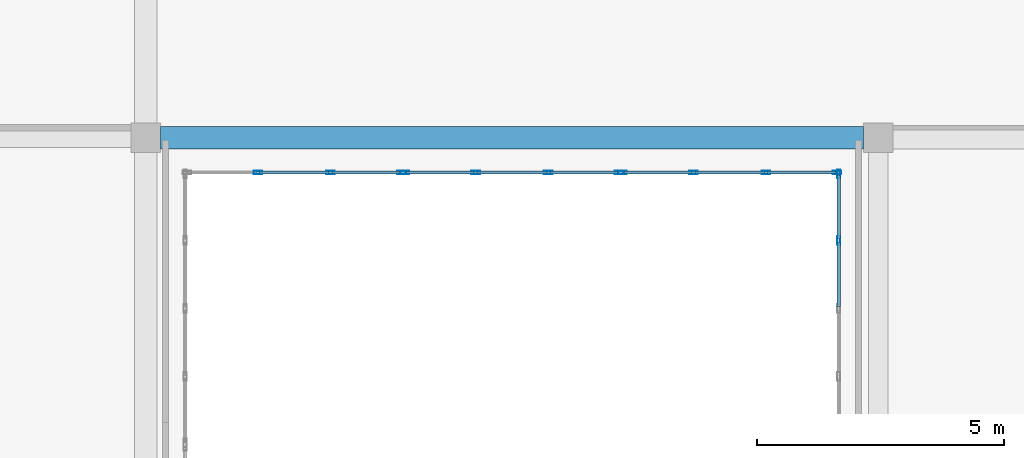
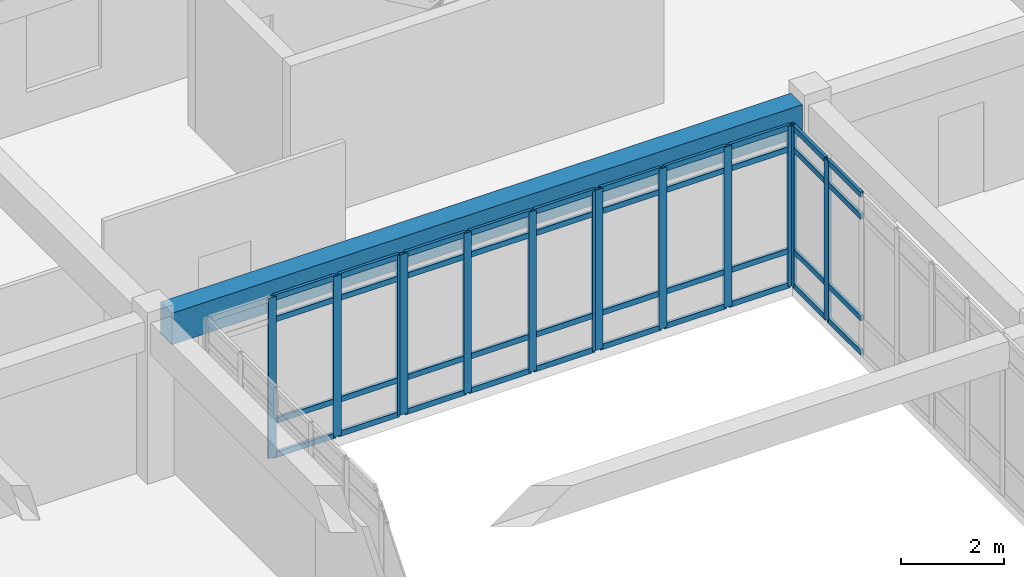
# One storey, part 107 of 146: 53 members, 1 beam, 4 elements without a shape of their own.
"""IFC4 building model written with IfcOpenShell, lengths in metres."""

from ifc_helpers import new_model, si_unit, direction, frame, origin, origin_2d, place, context, subcontext, project, spatial, rectangle, hollow_rectangle, extrude, material, layer, layer_set, material_profile, profile_set, type_object, element, aggregate, save


model = new_model("IFC4")

# Units and contexts
model_context = context("Model", 3, precision=1e-05, world=origin(), true_north=direction((0.0, 1.0)))
body_context = subcontext(model_context, "Body", "Model", "MODEL_VIEW")
ifc_project = project(units=[si_unit("LENGTHUNIT", "METRE"), si_unit("AREAUNIT", "SQUARE_METRE"), si_unit("VOLUMEUNIT", "CUBIC_METRE"), si_unit("PLANEANGLEUNIT", "RADIAN"), si_unit("MASSUNIT", "GRAM", prefix="KILO")], contexts=[model_context])

# Site, building, storey
site_placement = place(None, origin())
site = spatial("IfcSite", under=ifc_project, at=site_placement, CompositionType="ELEMENT")
building_placement = place(site_placement, origin())
building = spatial("IfcBuilding", under=site, at=building_placement, Name="Valcora Specialist Clinic", CompositionType="ELEMENT")
storey_placement = place(building_placement, frame((0.0, 0.0, 9.52001953125)))
storey = spatial("IfcBuildingStorey", under=building, at=storey_placement, Name="L02", CompositionType="ELEMENT", Elevation=9.52001953125)

# Beam
ifc_material_1 = material(Name="Concrete C40/50", Category="concrete")
ifc_material_profile_1 = material_profile(ifc_material_1, rectangle(XDim=0.449951171875, YDim=0.75, at=origin_2d()), Name="RC-BM-450X750")
ifc_profile_set_1 = profile_set([ifc_material_profile_1], Name="Concrete C40/50")
beam_type = type_object("IfcBeamType", Name="TY-BM-RC450X750", PredefinedType="BEAM", material=ifc_profile_set_1)
beam_placement = place(storey_placement, frame((111.5, 99.199951171875, 3.445068359375), z_axis=(1.0, 0.0, 0.0), x_axis=(0.0, 1.0, 0.0)))
element("IfcBeam", 1, at=beam_placement, inside=storey, type_object=beam_type, Name="Beam BM-L02-0725", PredefinedType="BEAM", context=body_context, shape_type="SweptSolid", body=[
    extrude(rectangle(XDim=0.449951171875, YDim=0.75, at=origin_2d()), origin(), (0.0, 0.0, 1.0), 14.199951171875),
])

# Curtain wall, members
ifc_material_2 = material(Name="Anodized Bronze Aluminium 6063-T6", Category="aluminium")
ifc_layer = layer(ifc_material_2, 0.175048828125)
ifc_layer_set = layer_set([ifc_layer], Name="Anodized Bronze Aluminium 6063-T6")
curtain_wall_type = type_object("IfcCurtainWallType", Name="TY-CW-CRT15", PredefinedType="NOTDEFINED", material=ifc_layer_set)
curtain_wall_1_placement = place(storey_placement, origin())
curtain_wall_1 = element("IfcCurtainWall", 2, at=curtain_wall_1_placement, inside=storey, type_object=curtain_wall_type, Name="Curtain wall CW-L02-110", PredefinedType="NOTDEFINED")
ifc_material_profile_2 = material_profile(ifc_material_2, hollow_rectangle(XDim=0.06494140625, YDim=0.175048828125, WallThickness=0.00390625, at=origin_2d()), Name="AL-MUL-65X175")
ifc_profile_set_2 = profile_set([ifc_material_profile_2], Name="Anodized Bronze Aluminium 6063-T6")
member_type_1 = type_object("IfcMemberType", Name="TY-CWM-65X175", PredefinedType="MULLION", material=ifc_profile_set_2)
member_1_placement = place(storey_placement, frame((125.199951171875, 97.125, 0.0), z_axis=(0.0, 0.0, 1.0), x_axis=(-1.0, 0.0, 0.0)))
member_1 = element("IfcMember", 3, at=member_1_placement, type_object=member_type_1, Name="CW-CRT-15 mullion 4", PredefinedType="MULLION", context=body_context, shape_type="SweptSolid", body=[
    extrude(hollow_rectangle(XDim=0.06494140625, YDim=0.175048828125, WallThickness=0.00390625, at=origin_2d()), origin(), (0.0, 0.0, 1.0), 3.820068359375),
])
member_2_placement = place(storey_placement, frame((125.199951171875, 98.467529296875, 0.0), z_axis=(0.0, 0.0, 1.0), x_axis=(-1.0, 0.0, 0.0)))
member_2 = element("IfcMember", 4, at=member_2_placement, type_object=member_type_1, Name="CW-CRT-15 mullion 5", PredefinedType="MULLION", context=body_context, shape_type="SweptSolid", body=[
    extrude(hollow_rectangle(XDim=0.06494140625, YDim=0.175048828125, WallThickness=0.00390625, at=origin_2d()), origin(), (0.0, 0.0, 1.0), 3.820068359375),
])

curtain_wall_2_placement = place(storey_placement, origin())
curtain_wall_2 = element("IfcCurtainWall", 5, at=curtain_wall_2_placement, inside=storey, type_object=curtain_wall_type, Name="Curtain wall CW-L02-111", PredefinedType="NOTDEFINED")
member_3_placement = place(storey_placement, frame((125.16748046875, 98.5, 0.0), z_axis=(0.0, 0.0, 1.0), x_axis=(0.0, -1.0, 0.0)))
member_3 = element("IfcMember", 6, at=member_3_placement, type_object=member_type_1, Name="CW-CRT-15 mullion 1", PredefinedType="MULLION", context=body_context, shape_type="SweptSolid", body=[
    extrude(hollow_rectangle(XDim=0.06494140625, YDim=0.175048828125, WallThickness=0.00390625, at=origin_2d()), origin(), (0.0, 0.0, 1.0), 3.820068359375),
])
member_4_placement = place(storey_placement, frame((123.7333984375, 98.5, 0.0), z_axis=(0.0, 0.0, 1.0), x_axis=(0.0, -1.0, 0.0)))
member_4 = element("IfcMember", 7, at=member_4_placement, type_object=member_type_1, Name="CW-CRT-15 mullion 2", PredefinedType="MULLION", context=body_context, shape_type="SweptSolid", body=[
    extrude(hollow_rectangle(XDim=0.06494140625, YDim=0.175048828125, WallThickness=0.00390625, at=origin_2d()), origin(), (0.0, 0.0, 1.0), 3.820068359375),
])
member_5_placement = place(storey_placement, frame((122.2666015625, 98.5, 0.0), z_axis=(0.0, 0.0, 1.0), x_axis=(0.0, -1.0, 0.0)))
member_5 = element("IfcMember", 8, at=member_5_placement, type_object=member_type_1, Name="CW-CRT-15 mullion 3", PredefinedType="MULLION", context=body_context, shape_type="SweptSolid", body=[
    extrude(hollow_rectangle(XDim=0.06494140625, YDim=0.175048828125, WallThickness=0.00390625, at=origin_2d()), origin(), (0.0, 0.0, 1.0), 3.820068359375),
])
member_6_placement = place(storey_placement, frame((120.83251953125, 98.5, 0.0), z_axis=(0.0, 0.0, 1.0), x_axis=(0.0, -1.0, 0.0)))
member_6 = element("IfcMember", 9, at=member_6_placement, type_object=member_type_1, Name="CW-CRT-15 mullion 4", PredefinedType="MULLION", context=body_context, shape_type="SweptSolid", body=[
    extrude(hollow_rectangle(XDim=0.06494140625, YDim=0.175048828125, WallThickness=0.00390625, at=origin_2d()), origin(), (0.0, 0.0, 1.0), 3.820068359375),
])

curtain_wall_3_placement = place(storey_placement, origin())
curtain_wall_3 = element("IfcCurtainWall", 10, at=curtain_wall_3_placement, inside=storey, type_object=curtain_wall_type, Name="Curtain wall CW-L02-112", PredefinedType="NOTDEFINED")
member_7_placement = place(storey_placement, frame((120.767578125, 98.5, 0.0), z_axis=(0.0, 0.0, 1.0), x_axis=(0.0, -1.0, 0.0)))
member_7 = element("IfcMember", 11, at=member_7_placement, type_object=member_type_1, Name="CW-CRT-15 mullion 1", PredefinedType="MULLION", context=body_context, shape_type="SweptSolid", body=[
    extrude(hollow_rectangle(XDim=0.06494140625, YDim=0.175048828125, WallThickness=0.00390625, at=origin_2d()), origin(), (0.0, 0.0, 1.0), 3.820068359375),
])
member_8_placement = place(storey_placement, frame((119.333251953125, 98.5, 0.0), z_axis=(0.0, 0.0, 1.0), x_axis=(0.0, -1.0, 0.0)))
member_8 = element("IfcMember", 12, at=member_8_placement, type_object=member_type_1, Name="CW-CRT-15 mullion 2", PredefinedType="MULLION", context=body_context, shape_type="SweptSolid", body=[
    extrude(hollow_rectangle(XDim=0.06494140625, YDim=0.175048828125, WallThickness=0.00390625, at=origin_2d()), origin(), (0.0, 0.0, 1.0), 3.820068359375),
])
member_9_placement = place(storey_placement, frame((117.86669921875, 98.5, 0.0), z_axis=(0.0, 0.0, 1.0), x_axis=(0.0, -1.0, 0.0)))
member_9 = element("IfcMember", 13, at=member_9_placement, type_object=member_type_1, Name="CW-CRT-15 mullion 3", PredefinedType="MULLION", context=body_context, shape_type="SweptSolid", body=[
    extrude(hollow_rectangle(XDim=0.06494140625, YDim=0.175048828125, WallThickness=0.00390625, at=origin_2d()), origin(), (0.0, 0.0, 1.0), 3.820068359375),
])
member_10_placement = place(storey_placement, frame((116.4326171875, 98.5, 0.0), z_axis=(0.0, 0.0, 1.0), x_axis=(0.0, -1.0, 0.0)))
member_10 = element("IfcMember", 14, at=member_10_placement, type_object=member_type_1, Name="CW-CRT-15 mullion 4", PredefinedType="MULLION", context=body_context, shape_type="SweptSolid", body=[
    extrude(hollow_rectangle(XDim=0.06494140625, YDim=0.175048828125, WallThickness=0.00390625, at=origin_2d()), origin(), (0.0, 0.0, 1.0), 3.820068359375),
])

curtain_wall_4_placement = place(storey_placement, origin())
curtain_wall_4 = element("IfcCurtainWall", 15, at=curtain_wall_4_placement, inside=storey, type_object=curtain_wall_type, Name="Curtain wall CW-L02-113", PredefinedType="NOTDEFINED")
member_11_placement = place(storey_placement, frame((116.367431640625, 98.5, 0.0), z_axis=(0.0, 0.0, 1.0), x_axis=(0.0, -1.0, 0.0)))
member_11 = element("IfcMember", 16, at=member_11_placement, type_object=member_type_1, Name="CW-CRT-15 mullion 1", PredefinedType="MULLION", context=body_context, shape_type="SweptSolid", body=[
    extrude(hollow_rectangle(XDim=0.06494140625, YDim=0.175048828125, WallThickness=0.00390625, at=origin_2d()), origin(), (0.0, 0.0, 1.0), 3.820068359375),
])
member_12_placement = place(storey_placement, frame((114.933349609375, 98.5, 0.0), z_axis=(0.0, 0.0, 1.0), x_axis=(0.0, -1.0, 0.0)))
member_12 = element("IfcMember", 17, at=member_12_placement, type_object=member_type_1, Name="CW-CRT-15 mullion 2", PredefinedType="MULLION", context=body_context, shape_type="SweptSolid", body=[
    extrude(hollow_rectangle(XDim=0.06494140625, YDim=0.175048828125, WallThickness=0.00390625, at=origin_2d()), origin(), (0.0, 0.0, 1.0), 3.820068359375),
])
member_13_placement = place(storey_placement, frame((113.466552734375, 98.5, 0.0), z_axis=(0.0, 0.0, 1.0), x_axis=(0.0, -1.0, 0.0)))
member_13 = element("IfcMember", 18, at=member_13_placement, type_object=member_type_1, Name="CW-CRT-15 mullion 3", PredefinedType="MULLION", context=body_context, shape_type="SweptSolid", body=[
    extrude(hollow_rectangle(XDim=0.06494140625, YDim=0.175048828125, WallThickness=0.00390625, at=origin_2d()), origin(), (0.0, 0.0, 1.0), 3.820068359375),
])

# Member
ifc_material_profile_3 = material_profile(ifc_material_2, hollow_rectangle(XDim=0.06494140625, YDim=0.1298828125, WallThickness=0.00390625, at=origin_2d()), Name="AL-TRN-65X130")
ifc_profile_set_3 = profile_set([ifc_material_profile_3], Name="Anodized Bronze Aluminium 6063-T6")
member_type_2 = type_object("IfcMemberType", Name="TY-CWT-65X130", PredefinedType="USERDEFINED", material=ifc_profile_set_3)
member_14_placement = place(storey_placement, frame((125.199951171875, 95.782470703125, 0.032470703125), z_axis=(0.0, 1.0, 0.0), x_axis=(-1.0, 0.0, 0.0)))
member_14 = element("IfcMember", 19, at=member_14_placement, type_object=member_type_2, Name="CW-CRT-15 transom 3.1", ObjectType="TRANSOM", PredefinedType="USERDEFINED", context=body_context, shape_type="SweptSolid", body=[
    extrude(hollow_rectangle(XDim=0.06494140625, YDim=0.1298828125, WallThickness=0.00390625, at=origin_2d()), origin(), (0.0, 0.0, 1.0), 1.31005859375),
])

member_15_placement = place(storey_placement, frame((125.199951171875, 95.782470703125, 0.85009765625), z_axis=(0.0, 1.0, 0.0), x_axis=(-1.0, 0.0, 0.0)))
member_15 = element("IfcMember", 20, at=member_15_placement, type_object=member_type_2, Name="CW-CRT-15 transom 3.2", ObjectType="TRANSOM", PredefinedType="USERDEFINED", context=body_context, shape_type="SweptSolid", body=[
    extrude(hollow_rectangle(XDim=0.06494140625, YDim=0.1298828125, WallThickness=0.00390625, at=origin_2d()), origin(), (0.0, 0.0, 1.0), 1.31005859375),
])

member_16_placement = place(storey_placement, frame((125.199951171875, 95.782470703125, 3.27001953125), z_axis=(0.0, 1.0, 0.0), x_axis=(-1.0, 0.0, 0.0)))
member_16 = element("IfcMember", 21, at=member_16_placement, type_object=member_type_2, Name="CW-CRT-15 transom 3.3", ObjectType="TRANSOM", PredefinedType="USERDEFINED", context=body_context, shape_type="SweptSolid", body=[
    extrude(hollow_rectangle(XDim=0.06494140625, YDim=0.1298828125, WallThickness=0.00390625, at=origin_2d()), origin(), (0.0, 0.0, 1.0), 1.31005859375),
])

member_17_placement = place(storey_placement, frame((125.199951171875, 95.782470703125, 3.78759765625), z_axis=(0.0, 1.0, 0.0), x_axis=(-1.0, 0.0, 0.0)))
member_17 = element("IfcMember", 22, at=member_17_placement, type_object=member_type_2, Name="CW-CRT-15 transom 3.4", ObjectType="TRANSOM", PredefinedType="USERDEFINED", context=body_context, shape_type="SweptSolid", body=[
    extrude(hollow_rectangle(XDim=0.06494140625, YDim=0.1298828125, WallThickness=0.00390625, at=origin_2d()), origin(), (0.0, 0.0, 1.0), 1.31005859375),
])

member_18_placement = place(storey_placement, frame((125.199951171875, 97.157470703125, 0.032470703125), z_axis=(0.0, 1.0, 0.0), x_axis=(-1.0, 0.0, 0.0)))
member_18 = element("IfcMember", 23, at=member_18_placement, type_object=member_type_2, Name="CW-CRT-15 transom 4.1", ObjectType="TRANSOM", PredefinedType="USERDEFINED", context=body_context, shape_type="SweptSolid", body=[
    extrude(hollow_rectangle(XDim=0.06494140625, YDim=0.1298828125, WallThickness=0.00390625, at=origin_2d()), origin(), (0.0, 0.0, 1.0), 1.277587890625),
])

member_19_placement = place(storey_placement, frame((125.199951171875, 97.157470703125, 0.85009765625), z_axis=(0.0, 1.0, 0.0), x_axis=(-1.0, 0.0, 0.0)))
member_19 = element("IfcMember", 24, at=member_19_placement, type_object=member_type_2, Name="CW-CRT-15 transom 4.2", ObjectType="TRANSOM", PredefinedType="USERDEFINED", context=body_context, shape_type="SweptSolid", body=[
    extrude(hollow_rectangle(XDim=0.06494140625, YDim=0.1298828125, WallThickness=0.00390625, at=origin_2d()), origin(), (0.0, 0.0, 1.0), 1.277587890625),
])

member_20_placement = place(storey_placement, frame((125.199951171875, 97.157470703125, 3.27001953125), z_axis=(0.0, 1.0, 0.0), x_axis=(-1.0, 0.0, 0.0)))
member_20 = element("IfcMember", 25, at=member_20_placement, type_object=member_type_2, Name="CW-CRT-15 transom 4.3", ObjectType="TRANSOM", PredefinedType="USERDEFINED", context=body_context, shape_type="SweptSolid", body=[
    extrude(hollow_rectangle(XDim=0.06494140625, YDim=0.1298828125, WallThickness=0.00390625, at=origin_2d()), origin(), (0.0, 0.0, 1.0), 1.277587890625),
])

member_21_placement = place(storey_placement, frame((125.199951171875, 97.157470703125, 3.78759765625), z_axis=(0.0, 1.0, 0.0), x_axis=(-1.0, 0.0, 0.0)))
member_21 = element("IfcMember", 26, at=member_21_placement, type_object=member_type_2, Name="CW-CRT-15 transom 4.4", ObjectType="TRANSOM", PredefinedType="USERDEFINED", context=body_context, shape_type="SweptSolid", body=[
    extrude(hollow_rectangle(XDim=0.06494140625, YDim=0.1298828125, WallThickness=0.00390625, at=origin_2d()), origin(), (0.0, 0.0, 1.0), 1.277587890625),
])

aggregate(curtain_wall_1, [member_1, member_2, member_14, member_15, member_16, member_17, member_18, member_19, member_20, member_21])

member_22_placement = place(storey_placement, frame((125.135009765625, 98.5, 0.032470703125), z_axis=(-1.0, 0.0, 0.0), x_axis=(0.0, -1.0, 0.0)))
member_22 = element("IfcMember", 27, at=member_22_placement, type_object=member_type_2, Name="CW-CRT-15 transom 1.1", ObjectType="TRANSOM", PredefinedType="USERDEFINED", context=body_context, shape_type="SweptSolid", body=[
    extrude(hollow_rectangle(XDim=0.06494140625, YDim=0.1298828125, WallThickness=0.00390625, at=origin_2d()), origin(), (0.0, 0.0, 1.0), 1.369140625),
])

member_23_placement = place(storey_placement, frame((125.135009765625, 98.5, 0.85009765625), z_axis=(-1.0, 0.0, 0.0), x_axis=(0.0, -1.0, 0.0)))
member_23 = element("IfcMember", 28, at=member_23_placement, type_object=member_type_2, Name="CW-CRT-15 transom 1.2", ObjectType="TRANSOM", PredefinedType="USERDEFINED", context=body_context, shape_type="SweptSolid", body=[
    extrude(hollow_rectangle(XDim=0.06494140625, YDim=0.1298828125, WallThickness=0.00390625, at=origin_2d()), origin(), (0.0, 0.0, 1.0), 1.369140625),
])

member_24_placement = place(storey_placement, frame((125.135009765625, 98.5, 3.27001953125), z_axis=(-1.0, 0.0, 0.0), x_axis=(0.0, -1.0, 0.0)))
member_24 = element("IfcMember", 29, at=member_24_placement, type_object=member_type_2, Name="CW-CRT-15 transom 1.3", ObjectType="TRANSOM", PredefinedType="USERDEFINED", context=body_context, shape_type="SweptSolid", body=[
    extrude(hollow_rectangle(XDim=0.06494140625, YDim=0.1298828125, WallThickness=0.00390625, at=origin_2d()), origin(), (0.0, 0.0, 1.0), 1.369140625),
])

member_25_placement = place(storey_placement, frame((125.135009765625, 98.5, 3.78759765625), z_axis=(-1.0, 0.0, 0.0), x_axis=(0.0, -1.0, 0.0)))
member_25 = element("IfcMember", 30, at=member_25_placement, type_object=member_type_2, Name="CW-CRT-15 transom 1.4", ObjectType="TRANSOM", PredefinedType="USERDEFINED", context=body_context, shape_type="SweptSolid", body=[
    extrude(hollow_rectangle(XDim=0.06494140625, YDim=0.1298828125, WallThickness=0.00390625, at=origin_2d()), origin(), (0.0, 0.0, 1.0), 1.369140625),
])

member_26_placement = place(storey_placement, frame((123.700927734375, 98.5, 0.032470703125), z_axis=(-1.0, 0.0, 0.0), x_axis=(0.0, -1.0, 0.0)))
member_26 = element("IfcMember", 31, at=member_26_placement, type_object=member_type_2, Name="CW-CRT-15 transom 2.1", ObjectType="TRANSOM", PredefinedType="USERDEFINED", context=body_context, shape_type="SweptSolid", body=[
    extrude(hollow_rectangle(XDim=0.06494140625, YDim=0.1298828125, WallThickness=0.00390625, at=origin_2d()), origin(), (0.0, 0.0, 1.0), 1.40185546875),
])

member_27_placement = place(storey_placement, frame((123.700927734375, 98.5, 0.85009765625), z_axis=(-1.0, 0.0, 0.0), x_axis=(0.0, -1.0, 0.0)))
member_27 = element("IfcMember", 32, at=member_27_placement, type_object=member_type_2, Name="CW-CRT-15 transom 2.2", ObjectType="TRANSOM", PredefinedType="USERDEFINED", context=body_context, shape_type="SweptSolid", body=[
    extrude(hollow_rectangle(XDim=0.06494140625, YDim=0.1298828125, WallThickness=0.00390625, at=origin_2d()), origin(), (0.0, 0.0, 1.0), 1.40185546875),
])

member_28_placement = place(storey_placement, frame((123.700927734375, 98.5, 3.27001953125), z_axis=(-1.0, 0.0, 0.0), x_axis=(0.0, -1.0, 0.0)))
member_28 = element("IfcMember", 33, at=member_28_placement, type_object=member_type_2, Name="CW-CRT-15 transom 2.3", ObjectType="TRANSOM", PredefinedType="USERDEFINED", context=body_context, shape_type="SweptSolid", body=[
    extrude(hollow_rectangle(XDim=0.06494140625, YDim=0.1298828125, WallThickness=0.00390625, at=origin_2d()), origin(), (0.0, 0.0, 1.0), 1.40185546875),
])

member_29_placement = place(storey_placement, frame((123.700927734375, 98.5, 3.78759765625), z_axis=(-1.0, 0.0, 0.0), x_axis=(0.0, -1.0, 0.0)))
member_29 = element("IfcMember", 34, at=member_29_placement, type_object=member_type_2, Name="CW-CRT-15 transom 2.4", ObjectType="TRANSOM", PredefinedType="USERDEFINED", context=body_context, shape_type="SweptSolid", body=[
    extrude(hollow_rectangle(XDim=0.06494140625, YDim=0.1298828125, WallThickness=0.00390625, at=origin_2d()), origin(), (0.0, 0.0, 1.0), 1.40185546875),
])

member_30_placement = place(storey_placement, frame((122.234130859375, 98.5, 0.032470703125), z_axis=(-1.0, 0.0, 0.0), x_axis=(0.0, -1.0, 0.0)))
member_30 = element("IfcMember", 35, at=member_30_placement, type_object=member_type_2, Name="CW-CRT-15 transom 3.1", ObjectType="TRANSOM", PredefinedType="USERDEFINED", context=body_context, shape_type="SweptSolid", body=[
    extrude(hollow_rectangle(XDim=0.06494140625, YDim=0.1298828125, WallThickness=0.00390625, at=origin_2d()), origin(), (0.0, 0.0, 1.0), 1.369140625),
])

member_31_placement = place(storey_placement, frame((122.234130859375, 98.5, 0.85009765625), z_axis=(-1.0, 0.0, 0.0), x_axis=(0.0, -1.0, 0.0)))
member_31 = element("IfcMember", 36, at=member_31_placement, type_object=member_type_2, Name="CW-CRT-15 transom 3.2", ObjectType="TRANSOM", PredefinedType="USERDEFINED", context=body_context, shape_type="SweptSolid", body=[
    extrude(hollow_rectangle(XDim=0.06494140625, YDim=0.1298828125, WallThickness=0.00390625, at=origin_2d()), origin(), (0.0, 0.0, 1.0), 1.369140625),
])

member_32_placement = place(storey_placement, frame((122.234130859375, 98.5, 3.27001953125), z_axis=(-1.0, 0.0, 0.0), x_axis=(0.0, -1.0, 0.0)))
member_32 = element("IfcMember", 37, at=member_32_placement, type_object=member_type_2, Name="CW-CRT-15 transom 3.3", ObjectType="TRANSOM", PredefinedType="USERDEFINED", context=body_context, shape_type="SweptSolid", body=[
    extrude(hollow_rectangle(XDim=0.06494140625, YDim=0.1298828125, WallThickness=0.00390625, at=origin_2d()), origin(), (0.0, 0.0, 1.0), 1.369140625),
])

member_33_placement = place(storey_placement, frame((122.234130859375, 98.5, 3.78759765625), z_axis=(-1.0, 0.0, 0.0), x_axis=(0.0, -1.0, 0.0)))
member_33 = element("IfcMember", 38, at=member_33_placement, type_object=member_type_2, Name="CW-CRT-15 transom 3.4", ObjectType="TRANSOM", PredefinedType="USERDEFINED", context=body_context, shape_type="SweptSolid", body=[
    extrude(hollow_rectangle(XDim=0.06494140625, YDim=0.1298828125, WallThickness=0.00390625, at=origin_2d()), origin(), (0.0, 0.0, 1.0), 1.369140625),
])

aggregate(curtain_wall_2, [member_3, member_4, member_5, member_6, member_22, member_23, member_24, member_25, member_26, member_27, member_28, member_29, member_30, member_31, member_32, member_33])

member_34_placement = place(storey_placement, frame((120.735107421875, 98.5, 0.032470703125), z_axis=(-1.0, 0.0, 0.0), x_axis=(0.0, -1.0, 0.0)))
member_34 = element("IfcMember", 39, at=member_34_placement, type_object=member_type_2, Name="CW-CRT-15 transom 1.1", ObjectType="TRANSOM", PredefinedType="USERDEFINED", context=body_context, shape_type="SweptSolid", body=[
    extrude(hollow_rectangle(XDim=0.06494140625, YDim=0.1298828125, WallThickness=0.00390625, at=origin_2d()), origin(), (0.0, 0.0, 1.0), 1.369384765625),
])

member_35_placement = place(storey_placement, frame((120.735107421875, 98.5, 0.85009765625), z_axis=(-1.0, 0.0, 0.0), x_axis=(0.0, -1.0, 0.0)))
member_35 = element("IfcMember", 40, at=member_35_placement, type_object=member_type_2, Name="CW-CRT-15 transom 1.2", ObjectType="TRANSOM", PredefinedType="USERDEFINED", context=body_context, shape_type="SweptSolid", body=[
    extrude(hollow_rectangle(XDim=0.06494140625, YDim=0.1298828125, WallThickness=0.00390625, at=origin_2d()), origin(), (0.0, 0.0, 1.0), 1.369384765625),
])

member_36_placement = place(storey_placement, frame((120.735107421875, 98.5, 3.27001953125), z_axis=(-1.0, 0.0, 0.0), x_axis=(0.0, -1.0, 0.0)))
member_36 = element("IfcMember", 41, at=member_36_placement, type_object=member_type_2, Name="CW-CRT-15 transom 1.3", ObjectType="TRANSOM", PredefinedType="USERDEFINED", context=body_context, shape_type="SweptSolid", body=[
    extrude(hollow_rectangle(XDim=0.06494140625, YDim=0.1298828125, WallThickness=0.00390625, at=origin_2d()), origin(), (0.0, 0.0, 1.0), 1.369384765625),
])

member_37_placement = place(storey_placement, frame((120.735107421875, 98.5, 3.78759765625), z_axis=(-1.0, 0.0, 0.0), x_axis=(0.0, -1.0, 0.0)))
member_37 = element("IfcMember", 42, at=member_37_placement, type_object=member_type_2, Name="CW-CRT-15 transom 1.4", ObjectType="TRANSOM", PredefinedType="USERDEFINED", context=body_context, shape_type="SweptSolid", body=[
    extrude(hollow_rectangle(XDim=0.06494140625, YDim=0.1298828125, WallThickness=0.00390625, at=origin_2d()), origin(), (0.0, 0.0, 1.0), 1.369384765625),
])

member_38_placement = place(storey_placement, frame((119.30078125, 98.5, 0.032470703125), z_axis=(-1.0, 0.0, 0.0), x_axis=(0.0, -1.0, 0.0)))
member_38 = element("IfcMember", 43, at=member_38_placement, type_object=member_type_2, Name="CW-CRT-15 transom 2.1", ObjectType="TRANSOM", PredefinedType="USERDEFINED", context=body_context, shape_type="SweptSolid", body=[
    extrude(hollow_rectangle(XDim=0.06494140625, YDim=0.1298828125, WallThickness=0.00390625, at=origin_2d()), origin(), (0.0, 0.0, 1.0), 1.401611328125),
])

member_39_placement = place(storey_placement, frame((119.30078125, 98.5, 0.85009765625), z_axis=(-1.0, 0.0, 0.0), x_axis=(0.0, -1.0, 0.0)))
member_39 = element("IfcMember", 44, at=member_39_placement, type_object=member_type_2, Name="CW-CRT-15 transom 2.2", ObjectType="TRANSOM", PredefinedType="USERDEFINED", context=body_context, shape_type="SweptSolid", body=[
    extrude(hollow_rectangle(XDim=0.06494140625, YDim=0.1298828125, WallThickness=0.00390625, at=origin_2d()), origin(), (0.0, 0.0, 1.0), 1.401611328125),
])

member_40_placement = place(storey_placement, frame((119.30078125, 98.5, 3.27001953125), z_axis=(-1.0, 0.0, 0.0), x_axis=(0.0, -1.0, 0.0)))
member_40 = element("IfcMember", 45, at=member_40_placement, type_object=member_type_2, Name="CW-CRT-15 transom 2.3", ObjectType="TRANSOM", PredefinedType="USERDEFINED", context=body_context, shape_type="SweptSolid", body=[
    extrude(hollow_rectangle(XDim=0.06494140625, YDim=0.1298828125, WallThickness=0.00390625, at=origin_2d()), origin(), (0.0, 0.0, 1.0), 1.401611328125),
])

member_41_placement = place(storey_placement, frame((119.30078125, 98.5, 3.78759765625), z_axis=(-1.0, 0.0, 0.0), x_axis=(0.0, -1.0, 0.0)))
member_41 = element("IfcMember", 46, at=member_41_placement, type_object=member_type_2, Name="CW-CRT-15 transom 2.4", ObjectType="TRANSOM", PredefinedType="USERDEFINED", context=body_context, shape_type="SweptSolid", body=[
    extrude(hollow_rectangle(XDim=0.06494140625, YDim=0.1298828125, WallThickness=0.00390625, at=origin_2d()), origin(), (0.0, 0.0, 1.0), 1.401611328125),
])

member_42_placement = place(storey_placement, frame((117.834228515625, 98.5, 0.032470703125), z_axis=(-1.0, 0.0, 0.0), x_axis=(0.0, -1.0, 0.0)))
member_42 = element("IfcMember", 47, at=member_42_placement, type_object=member_type_2, Name="CW-CRT-15 transom 3.1", ObjectType="TRANSOM", PredefinedType="USERDEFINED", context=body_context, shape_type="SweptSolid", body=[
    extrude(hollow_rectangle(XDim=0.06494140625, YDim=0.1298828125, WallThickness=0.00390625, at=origin_2d()), origin(), (0.0, 0.0, 1.0), 1.369140625),
])

member_43_placement = place(storey_placement, frame((117.834228515625, 98.5, 0.85009765625), z_axis=(-1.0, 0.0, 0.0), x_axis=(0.0, -1.0, 0.0)))
member_43 = element("IfcMember", 48, at=member_43_placement, type_object=member_type_2, Name="CW-CRT-15 transom 3.2", ObjectType="TRANSOM", PredefinedType="USERDEFINED", context=body_context, shape_type="SweptSolid", body=[
    extrude(hollow_rectangle(XDim=0.06494140625, YDim=0.1298828125, WallThickness=0.00390625, at=origin_2d()), origin(), (0.0, 0.0, 1.0), 1.369140625),
])

member_44_placement = place(storey_placement, frame((117.834228515625, 98.5, 3.27001953125), z_axis=(-1.0, 0.0, 0.0), x_axis=(0.0, -1.0, 0.0)))
member_44 = element("IfcMember", 49, at=member_44_placement, type_object=member_type_2, Name="CW-CRT-15 transom 3.3", ObjectType="TRANSOM", PredefinedType="USERDEFINED", context=body_context, shape_type="SweptSolid", body=[
    extrude(hollow_rectangle(XDim=0.06494140625, YDim=0.1298828125, WallThickness=0.00390625, at=origin_2d()), origin(), (0.0, 0.0, 1.0), 1.369140625),
])

member_45_placement = place(storey_placement, frame((117.834228515625, 98.5, 3.78759765625), z_axis=(-1.0, 0.0, 0.0), x_axis=(0.0, -1.0, 0.0)))
member_45 = element("IfcMember", 50, at=member_45_placement, type_object=member_type_2, Name="CW-CRT-15 transom 3.4", ObjectType="TRANSOM", PredefinedType="USERDEFINED", context=body_context, shape_type="SweptSolid", body=[
    extrude(hollow_rectangle(XDim=0.06494140625, YDim=0.1298828125, WallThickness=0.00390625, at=origin_2d()), origin(), (0.0, 0.0, 1.0), 1.369140625),
])

aggregate(curtain_wall_3, [member_7, member_8, member_9, member_10, member_34, member_35, member_36, member_37, member_38, member_39, member_40, member_41, member_42, member_43, member_44, member_45])

member_46_placement = place(storey_placement, frame((116.3349609375, 98.5, 0.032470703125), z_axis=(-1.0, 0.0, 0.0), x_axis=(0.0, -1.0, 0.0)))
member_46 = element("IfcMember", 51, at=member_46_placement, type_object=member_type_2, Name="CW-CRT-15 transom 1.1", ObjectType="TRANSOM", PredefinedType="USERDEFINED", context=body_context, shape_type="SweptSolid", body=[
    extrude(hollow_rectangle(XDim=0.06494140625, YDim=0.1298828125, WallThickness=0.00390625, at=origin_2d()), origin(), (0.0, 0.0, 1.0), 1.369140625),
])

member_47_placement = place(storey_placement, frame((116.3349609375, 98.5, 0.85009765625), z_axis=(-1.0, 0.0, 0.0), x_axis=(0.0, -1.0, 0.0)))
member_47 = element("IfcMember", 52, at=member_47_placement, type_object=member_type_2, Name="CW-CRT-15 transom 1.2", ObjectType="TRANSOM", PredefinedType="USERDEFINED", context=body_context, shape_type="SweptSolid", body=[
    extrude(hollow_rectangle(XDim=0.06494140625, YDim=0.1298828125, WallThickness=0.00390625, at=origin_2d()), origin(), (0.0, 0.0, 1.0), 1.369140625),
])

member_48_placement = place(storey_placement, frame((116.3349609375, 98.5, 3.27001953125), z_axis=(-1.0, 0.0, 0.0), x_axis=(0.0, -1.0, 0.0)))
member_48 = element("IfcMember", 53, at=member_48_placement, type_object=member_type_2, Name="CW-CRT-15 transom 1.3", ObjectType="TRANSOM", PredefinedType="USERDEFINED", context=body_context, shape_type="SweptSolid", body=[
    extrude(hollow_rectangle(XDim=0.06494140625, YDim=0.1298828125, WallThickness=0.00390625, at=origin_2d()), origin(), (0.0, 0.0, 1.0), 1.369140625),
])

member_49_placement = place(storey_placement, frame((116.3349609375, 98.5, 3.78759765625), z_axis=(-1.0, 0.0, 0.0), x_axis=(0.0, -1.0, 0.0)))
member_49 = element("IfcMember", 54, at=member_49_placement, type_object=member_type_2, Name="CW-CRT-15 transom 1.4", ObjectType="TRANSOM", PredefinedType="USERDEFINED", context=body_context, shape_type="SweptSolid", body=[
    extrude(hollow_rectangle(XDim=0.06494140625, YDim=0.1298828125, WallThickness=0.00390625, at=origin_2d()), origin(), (0.0, 0.0, 1.0), 1.369140625),
])

member_50_placement = place(storey_placement, frame((114.90087890625, 98.5, 0.032470703125), z_axis=(-1.0, 0.0, 0.0), x_axis=(0.0, -1.0, 0.0)))
member_50 = element("IfcMember", 55, at=member_50_placement, type_object=member_type_2, Name="CW-CRT-15 transom 2.1", ObjectType="TRANSOM", PredefinedType="USERDEFINED", context=body_context, shape_type="SweptSolid", body=[
    extrude(hollow_rectangle(XDim=0.06494140625, YDim=0.1298828125, WallThickness=0.00390625, at=origin_2d()), origin(), (0.0, 0.0, 1.0), 1.401611328125),
])

member_51_placement = place(storey_placement, frame((114.90087890625, 98.5, 0.85009765625), z_axis=(-1.0, 0.0, 0.0), x_axis=(0.0, -1.0, 0.0)))
member_51 = element("IfcMember", 56, at=member_51_placement, type_object=member_type_2, Name="CW-CRT-15 transom 2.2", ObjectType="TRANSOM", PredefinedType="USERDEFINED", context=body_context, shape_type="SweptSolid", body=[
    extrude(hollow_rectangle(XDim=0.06494140625, YDim=0.1298828125, WallThickness=0.00390625, at=origin_2d()), origin(), (0.0, 0.0, 1.0), 1.401611328125),
])

member_52_placement = place(storey_placement, frame((114.90087890625, 98.5, 3.27001953125), z_axis=(-1.0, 0.0, 0.0), x_axis=(0.0, -1.0, 0.0)))
member_52 = element("IfcMember", 57, at=member_52_placement, type_object=member_type_2, Name="CW-CRT-15 transom 2.3", ObjectType="TRANSOM", PredefinedType="USERDEFINED", context=body_context, shape_type="SweptSolid", body=[
    extrude(hollow_rectangle(XDim=0.06494140625, YDim=0.1298828125, WallThickness=0.00390625, at=origin_2d()), origin(), (0.0, 0.0, 1.0), 1.401611328125),
])

member_53_placement = place(storey_placement, frame((114.90087890625, 98.5, 3.78759765625), z_axis=(-1.0, 0.0, 0.0), x_axis=(0.0, -1.0, 0.0)))
member_53 = element("IfcMember", 58, at=member_53_placement, type_object=member_type_2, Name="CW-CRT-15 transom 2.4", ObjectType="TRANSOM", PredefinedType="USERDEFINED", context=body_context, shape_type="SweptSolid", body=[
    extrude(hollow_rectangle(XDim=0.06494140625, YDim=0.1298828125, WallThickness=0.00390625, at=origin_2d()), origin(), (0.0, 0.0, 1.0), 1.401611328125),
])

aggregate(curtain_wall_4, [member_11, member_12, member_13, member_46, member_47, member_48, member_49, member_50, member_51, member_52, member_53])

save(model, "model.ifc")
